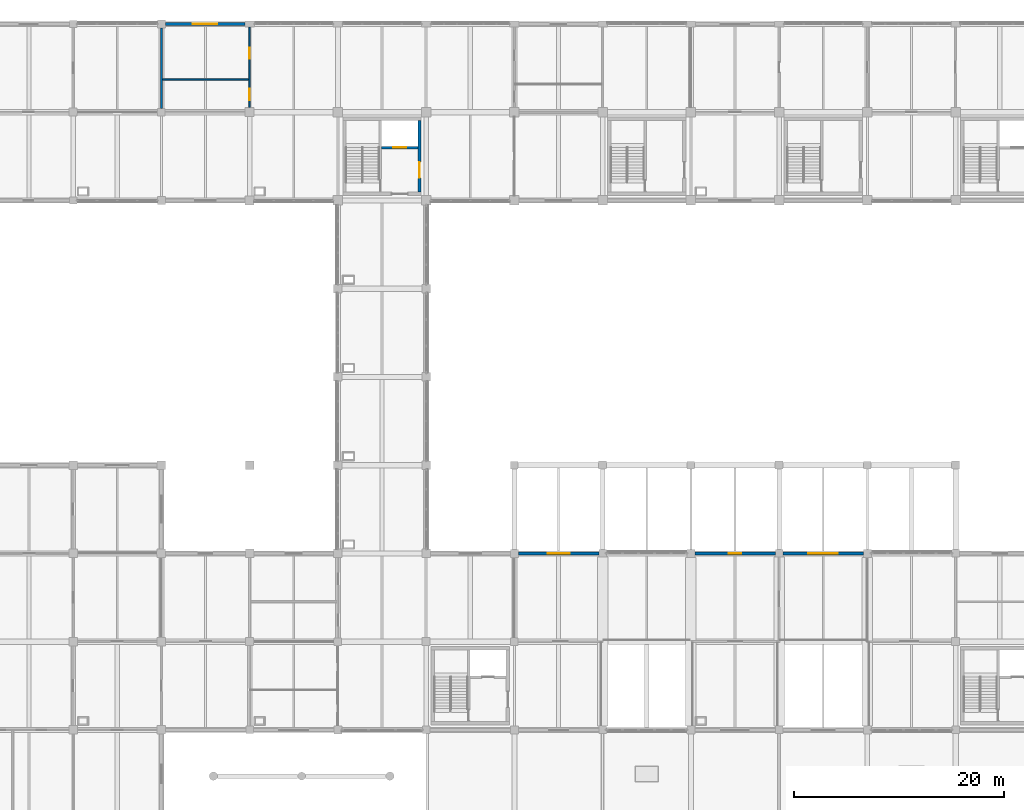
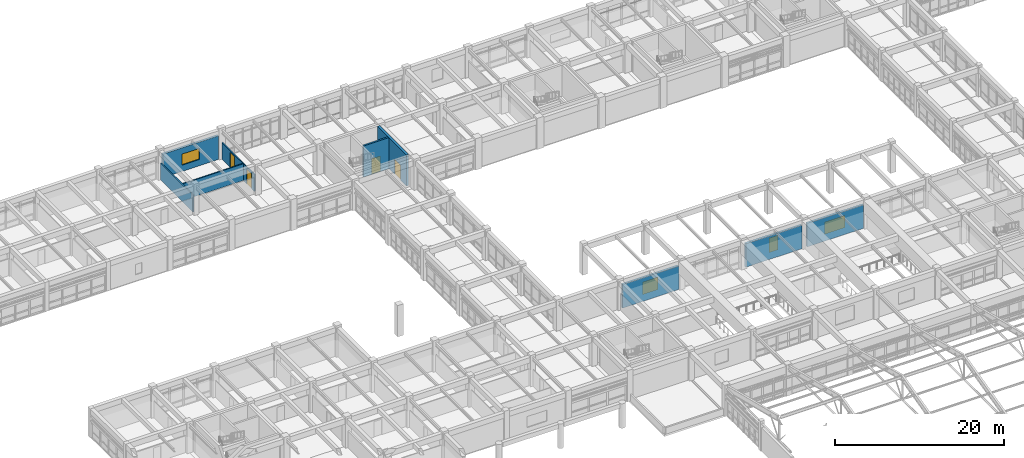
# One storey, part 87 of 99: 9 walls, 4 doors, 4 windows, 8 openings.
"""IFC4 building model written with IfcOpenShell, lengths in metres."""

from ifc_helpers import new_model, si_unit, direction, frame, frame_2d, origin, place, context, subcontext, project, spatial, rectangle, extrude, material, layer, layer_set, type_object, element, fill, save


model = new_model("IFC4")

# Units and contexts
model_context = context("Model", 3, precision=1e-05, world=origin(), true_north=direction((0.0, 1.0)))
body_context = subcontext(model_context, "Body", "Model", "MODEL_VIEW")
ifc_project = project(units=[si_unit("LENGTHUNIT", "METRE"), si_unit("AREAUNIT", "SQUARE_METRE"), si_unit("VOLUMEUNIT", "CUBIC_METRE"), si_unit("PLANEANGLEUNIT", "RADIAN"), si_unit("MASSUNIT", "GRAM", prefix="KILO")], contexts=[model_context])

# Site, building, storey
site_placement = place(None, origin())
site = spatial("IfcSite", under=ifc_project, at=site_placement, CompositionType="ELEMENT")
building_placement = place(site_placement, origin())
building = spatial("IfcBuilding", under=site, at=building_placement, Name="Porcellanite Civic Hall", CompositionType="ELEMENT")
storey_placement = place(building_placement, frame((0.0, 0.0, 5.760009765625)))
storey = spatial("IfcBuildingStorey", under=building, at=storey_placement, Name="L01", CompositionType="ELEMENT", Elevation=5.760009765625)

# Wall, opening, door
ifc_material_1 = material(Name="Concrete N40 (40 MPa)", Category="concrete")
ifc_layer_1 = layer(ifc_material_1, 0.239990234375)
ifc_layer_set_1 = layer_set([ifc_layer_1], Name="Concrete N40 (40 MPa)")
wall_type_1 = type_object("IfcWallType", Name="CW-SH240", PredefinedType="SHEAR", material=ifc_layer_set_1)
wall_1_placement = place(storey_placement, frame((54.56005859375, 105.820068359375, 0.0), z_axis=(0.0, 0.0, 1.0), x_axis=(1.0, 0.0, 0.0)))
wall_1 = element("IfcWall", 1, at=wall_1_placement, inside=storey, type_object=wall_type_1, Name="Lift shaft wall C3 L01", PredefinedType="SHEAR", context=body_context, shape_type="SweptSolid", body=[
    extrude(rectangle(XDim=3.4599609375, YDim=0.239990234375, at=frame_2d((1.72998046875, 0.0))), origin(), (0.0, 0.0, 1.0), 4.5),
])
opening_1_placement = place(wall_1_placement, frame((1.1298828125, 0.0, 0.0)))
opening_1 = element("IfcOpeningElement", 2, at=opening_1_placement, cuts=wall_1, Name="Opening LD-01", PredefinedType="OPENING", context=body_context, shape_type="SweptSolid", body=[
    extrude(rectangle(XDim=1.199951171875, YDim=2.199951171875, at=frame_2d((0.60009765625, 1.10009765625))), frame((0.0, 0.1201171875, 0.0), z_axis=(0.0, -1.0, 0.0), x_axis=(1.0, 0.0, 0.0)), (0.0, 0.0, 1.0), 0.239990234375),
])
ifc_material_2 = material(Name="Brushed stainless steel 316", Category="steel")
door_type_1 = type_object("IfcDoorType", Name="DR-LD120", OperationType="DOUBLE_DOOR_SLIDING", PredefinedType="DOOR", material=ifc_material_2)
door_1_placement = place(opening_1_placement, origin())
door_1 = element("IfcDoor", 3, at=door_1_placement, inside=storey, type_object=door_type_1, Name="Lift landing sliding door LD-01 L01", OperationType="DOUBLE_DOOR_SLIDING", OverallHeight=2.199951171875, OverallWidth=1.199951171875, PredefinedType="DOOR", context=body_context, shape_type="SweptSolid", body=[
    extrude(rectangle(XDim=1.199951171875, YDim=2.199951171875, at=frame_2d((0.60009765625, 1.10009765625))), frame((0.0, 0.02490234375, 0.0), z_axis=(0.0, -1.0, 0.0), x_axis=(1.0, 0.0, 0.0)), (0.0, 0.0, 1.0), 0.050048828125),
])
fill(opening_1, door_1)

ifc_material_3 = material(Name="Concrete N40 (40 MPa)", Category="concrete")
ifc_layer_2 = layer(ifc_material_3, 0.300048828125)
ifc_layer_set_2 = layer_set([ifc_layer_2], Name="Concrete N40 (40 MPa)")
wall_type_2 = type_object("IfcWallType", Name="CW-SH300", PredefinedType="SHEAR", material=ifc_layer_set_2)
wall_2_placement = place(storey_placement, frame((58.169921875, 108.419921875, 0.0), z_axis=(0.0, 0.0, 1.0), x_axis=(0.0, -1.0, 0.0)))
wall_2 = element("IfcWall", 4, at=wall_2_placement, inside=storey, type_object=wall_type_2, Name="Core wall C3 L01 E", PredefinedType="SHEAR", context=body_context, shape_type="SweptSolid", body=[
    extrude(rectangle(XDim=6.83984375, YDim=0.300048828125, at=frame_2d((3.419921875, 0.0))), origin(), (0.0, 0.0, 1.0), 4.5),
])
opening_2_placement = place(wall_2_placement, frame((3.969970703125, 0.0, 0.0)))
opening_2 = element("IfcOpeningElement", 5, at=opening_2_placement, cuts=wall_2, Name="Opening FD-C3-L01-LB", PredefinedType="OPENING", context=body_context, shape_type="SweptSolid", body=[
    extrude(rectangle(XDim=1.5, YDim=2.14990234375, at=frame_2d((0.75, 1.074951171875))), frame((0.0, 0.14990234375, 0.0), z_axis=(0.0, -1.0, 0.0), x_axis=(1.0, 0.0, 0.0)), (0.0, 0.0, 1.0), 0.300048828125),
])
ifc_material_4 = material(Name="Fire-rated steel and Georgian wired glass", Category="steel")
door_type_2 = type_object("IfcDoorType", Name="DR-FD150", OperationType="DOUBLE_DOOR_SINGLE_SWING", PredefinedType="DOOR", material=ifc_material_4)
door_2_placement = place(opening_2_placement, origin())
door_2 = element("IfcDoor", 6, at=door_2_placement, inside=storey, type_object=door_type_2, Name="Fire lobby double door FD-C3-L01-LB", OperationType="DOUBLE_DOOR_SINGLE_SWING", OverallHeight=2.14990234375, OverallWidth=1.5, PredefinedType="DOOR", context=body_context, shape_type="SweptSolid", body=[
    extrude(rectangle(XDim=1.5, YDim=2.14990234375, at=frame_2d((0.75, 1.074951171875))), frame((0.0, 0.02490234375, 0.0), z_axis=(0.0, -1.0, 0.0), x_axis=(1.0, 0.0, 0.0)), (0.0, 0.0, 1.0), 0.050048828125),
])
fill(opening_2, door_2)

# Wall, opening, window
ifc_material_5 = material(Name="Precast concrete N40 (40 MPa)", Category="concrete")
ifc_layer_3 = layer(ifc_material_5, 0.300048828125)
ifc_layer_set_3 = layer_set([ifc_layer_3], Name="Precast concrete N40 (40 MPa)")
wall_type_3 = type_object("IfcWallType", Name="EW-ADM300", PredefinedType="SOLIDWALL", material=ifc_layer_set_3)
wall_3_placement = place(storey_placement, frame((33.97607421875, 117.60009765625, 0.0), z_axis=(0.0, 0.0, 1.0), x_axis=(1.0, 0.0, 0.0)))
wall_3 = element("IfcWall", 7, at=wall_3_placement, inside=storey, type_object=wall_type_3, Name="Exterior wall L01 N 5-14", PredefinedType="SOLIDWALL", context=body_context, shape_type="SweptSolid", body=[
    extrude(rectangle(XDim=7.572998046875, YDim=0.300048828125, at=frame_2d((3.78662109375, 0.0))), origin(), (0.0, 0.0, 1.0), 3.39990234375),
])
opening_3_placement = place(wall_3_placement, frame((2.612060546875, 0.0, 0.89990234375)))
opening_3 = element("IfcOpeningElement", 8, at=opening_3_placement, cuts=wall_3, Name="Opening W36", PredefinedType="OPENING", context=body_context, shape_type="SweptSolid", body=[
    extrude(rectangle(XDim=2.35009765625, YDim=1.60009765625, at=frame_2d((1.175048828125, 0.800048828125))), frame((0.0, 0.14990234375, 0.0), z_axis=(0.0, -1.0, 0.0), x_axis=(1.0, 0.0, 0.0)), (0.0, 0.0, 1.0), 0.300048828125),
])
ifc_material_6 = material(Name="Cyclone laminated low-E glazing in anodised aluminium frame", Category="aluminium")
window_type_1 = type_object("IfcWindowType", Name="WN-36", PartitioningType="DOUBLE_PANEL_VERTICAL", PredefinedType="WINDOW", material=ifc_material_6)
window_1_placement = place(opening_3_placement, origin())
window_1 = element("IfcWindow", 9, at=window_1_placement, inside=storey, type_object=window_type_1, Name="Window W36 L01 N 5-14", OverallHeight=1.60009765625, OverallWidth=2.35009765625, PartitioningType="SINGLE_PANEL", PredefinedType="WINDOW", context=body_context, shape_type="SweptSolid", body=[
    extrude(rectangle(XDim=2.35009765625, YDim=1.60009765625, at=frame_2d((1.175048828125, 0.800048828125))), frame((0.0, 0.030029296875, 0.0), z_axis=(0.0, -1.0, 0.0), x_axis=(1.0, 0.0, 0.0)), (0.0, 0.0, 1.0), 0.06005859375),
])
fill(opening_3, window_1)

ifc_material_7 = material(Name="Precast concrete N40 (40 MPa)", Category="concrete")
ifc_layer_4 = layer(ifc_material_7, 0.280029296875)
ifc_layer_set_4 = layer_set([ifc_layer_4], Name="Precast concrete N40 (40 MPa)")
wall_type_4 = type_object("IfcWallType", Name="EW-CLO280", PredefinedType="SOLIDWALL", material=ifc_layer_set_4)
wall_4_placement = place(storey_placement, frame((67.575927734375, 67.199951171875, 0.0), z_axis=(0.0, 0.0, 1.0), x_axis=(1.0, 0.0, 0.0)))
wall_4 = element("IfcWall", 10, at=wall_4_placement, inside=storey, type_object=wall_type_4, Name="Exterior wall L01 N 9-8", PredefinedType="SOLIDWALL", context=body_context, shape_type="SweptSolid", body=[
    extrude(rectangle(XDim=7.673095703125, YDim=0.280029296875, at=frame_2d((3.83642578125, 0.0))), origin(), (0.0, 0.0, 1.0), 3.39990234375),
])
opening_4_placement = place(wall_4_placement, frame((2.787109375, 0.0, 0.89990234375)))
opening_4 = element("IfcOpeningElement", 11, at=opening_4_placement, cuts=wall_4, Name="Opening W02", PredefinedType="OPENING", context=body_context, shape_type="SweptSolid", body=[
    extrude(rectangle(XDim=2.10009765625, YDim=1.800048828125, at=frame_2d((1.050048828125, 0.89990234375))), frame((0.0, 0.14013671875, 0.0), z_axis=(0.0, -1.0, 0.0), x_axis=(1.0, 0.0, 0.0)), (0.0, 0.0, 1.0), 0.280029296875),
])
ifc_material_8 = material(Name="Cyclone laminated low-E glazing in anodised aluminium frame", Category="aluminium")
window_type_2 = type_object("IfcWindowType", Name="WN-02", PartitioningType="DOUBLE_PANEL_VERTICAL", PredefinedType="WINDOW", material=ifc_material_8)
window_2_placement = place(opening_4_placement, origin())
window_2 = element("IfcWindow", 12, at=window_2_placement, inside=storey, type_object=window_type_2, Name="Window W02 L01 N 9-8", OverallHeight=1.800048828125, OverallWidth=2.10009765625, PartitioningType="SINGLE_PANEL", PredefinedType="WINDOW", context=body_context, shape_type="SweptSolid", body=[
    extrude(rectangle(XDim=2.10009765625, YDim=1.800048828125, at=frame_2d((1.050048828125, 0.89990234375))), frame((0.0, 0.030029296875, 0.0), z_axis=(0.0, -1.0, 0.0), x_axis=(1.0, 0.0, 0.0)), (0.0, 0.0, 1.0), 0.06005859375),
])
fill(opening_4, window_2)

wall_5_placement = place(storey_placement, frame((84.3759765625, 67.199951171875, 0.0), z_axis=(0.0, 0.0, 1.0), x_axis=(1.0, 0.0, 0.0)))
wall_5 = element("IfcWall", 13, at=wall_5_placement, inside=storey, type_object=wall_type_4, Name="Exterior wall L01 N 11-8", PredefinedType="SOLIDWALL", context=body_context, shape_type="SweptSolid", body=[
    extrude(rectangle(XDim=7.673095703125, YDim=0.280029296875, at=frame_2d((3.83642578125, 0.0))), origin(), (0.0, 0.0, 1.0), 3.39990234375),
])
opening_5_placement = place(wall_5_placement, frame((3.236083984375, 0.0, 0.89990234375)))
opening_5 = element("IfcOpeningElement", 14, at=opening_5_placement, cuts=wall_5, Name="Opening W08", PredefinedType="OPENING", context=body_context, shape_type="SweptSolid", body=[
    extrude(rectangle(XDim=1.199951171875, YDim=2.10009765625, at=frame_2d((0.60009765625, 1.050048828125))), frame((0.0, 0.14013671875, 0.0), z_axis=(0.0, -1.0, 0.0), x_axis=(1.0, 0.0, 0.0)), (0.0, 0.0, 1.0), 0.280029296875),
])
ifc_material_9 = material(Name="Cyclone laminated low-E glazing in anodised aluminium frame", Category="aluminium")
window_type_3 = type_object("IfcWindowType", Name="WN-08", PartitioningType="SINGLE_PANEL", PredefinedType="WINDOW", material=ifc_material_9)
window_3_placement = place(opening_5_placement, origin())
window_3 = element("IfcWindow", 15, at=window_3_placement, inside=storey, type_object=window_type_3, Name="Window W08 L01 N 11-8", OverallHeight=2.10009765625, OverallWidth=1.199951171875, PartitioningType="SINGLE_PANEL", PredefinedType="WINDOW", context=body_context, shape_type="SweptSolid", body=[
    extrude(rectangle(XDim=1.199951171875, YDim=2.10009765625, at=frame_2d((0.60009765625, 1.050048828125))), frame((0.0, 0.030029296875, 0.0), z_axis=(0.0, -1.0, 0.0), x_axis=(1.0, 0.0, 0.0)), (0.0, 0.0, 1.0), 0.06005859375),
])
fill(opening_5, window_3)

wall_6_placement = place(storey_placement, frame((92.7509765625, 67.199951171875, 0.0), z_axis=(0.0, 0.0, 1.0), x_axis=(1.0, 0.0, 0.0)))
wall_6 = element("IfcWall", 16, at=wall_6_placement, inside=storey, type_object=wall_type_4, Name="Exterior wall L01 N 12-8", PredefinedType="SOLIDWALL", context=body_context, shape_type="SweptSolid", body=[
    extrude(rectangle(XDim=7.673095703125, YDim=0.280029296875, at=frame_2d((3.83642578125, 0.0))), origin(), (0.0, 0.0, 1.0), 3.39990234375),
])
opening_6_placement = place(wall_6_placement, frame((2.43701171875, 0.0, 0.89990234375)))
opening_6 = element("IfcOpeningElement", 17, at=opening_6_placement, cuts=wall_6, Name="Opening W14", PredefinedType="OPENING", context=body_context, shape_type="SweptSolid", body=[
    extrude(rectangle(XDim=2.800048828125, YDim=1.75, at=frame_2d((1.39990234375, 0.875))), frame((0.0, 0.14013671875, 0.0), z_axis=(0.0, -1.0, 0.0), x_axis=(1.0, 0.0, 0.0)), (0.0, 0.0, 1.0), 0.280029296875),
])
ifc_material_10 = material(Name="Cyclone laminated low-E glazing in anodised aluminium frame", Category="aluminium")
window_type_4 = type_object("IfcWindowType", Name="WN-14", PartitioningType="TRIPLE_PANEL_VERTICAL", PredefinedType="WINDOW", material=ifc_material_10)
window_4_placement = place(opening_6_placement, origin())
window_4 = element("IfcWindow", 18, at=window_4_placement, inside=storey, type_object=window_type_4, Name="Window W14 L01 N 12-8", OverallHeight=1.75, OverallWidth=2.800048828125, PartitioningType="SINGLE_PANEL", PredefinedType="WINDOW", context=body_context, shape_type="SweptSolid", body=[
    extrude(rectangle(XDim=2.800048828125, YDim=1.75, at=frame_2d((1.39990234375, 0.875))), frame((0.0, 0.030029296875, 0.0), z_axis=(0.0, -1.0, 0.0), x_axis=(1.0, 0.0, 0.0)), (0.0, 0.0, 1.0), 0.06005859375),
])
fill(opening_6, window_4)

# Wall, openings, doors
ifc_material_11 = material(Name="Fire-rated plasterboard on light-gauge steel studs", Category="steel")
ifc_layer_5 = layer(ifc_material_11, 0.14794921875)
ifc_layer_set_5 = layer_set([ifc_layer_5], Name="Fire-rated plasterboard on light-gauge steel studs")
wall_type_5 = type_object("IfcWallType", Name="IW-FR148", PredefinedType="PARTITIONING", material=ifc_layer_set_5)
wall_7_placement = place(storey_placement, frame((42.0, 109.626953125, 0.0), z_axis=(0.0, 0.0, 1.0), x_axis=(0.0, 1.0, 0.0)))
wall_7 = element("IfcWall", 19, at=wall_7_placement, inside=storey, type_object=wall_type_5, Name="Fire compartment wall L01 V 5-14", PredefinedType="PARTITIONING", context=body_context, shape_type="SweptSolid", body=[
    extrude(rectangle(XDim=7.671142578125, YDim=0.14794921875, at=frame_2d((3.83544921875, 0.0))), origin(), (0.0, 0.0, 1.0), 2.39990234375),
])
opening_7_placement = place(wall_7_placement, frame((0.712890625, 0.0, 0.0)))
opening_7 = element("IfcOpeningElement", 20, at=opening_7_placement, cuts=wall_7, Name="Opening D-L01-174", PredefinedType="OPENING", context=body_context, shape_type="SweptSolid", body=[
    extrude(rectangle(XDim=1.10009765625, YDim=2.14990234375, at=frame_2d((0.550048828125, 1.074951171875))), frame((0.0, 0.073974609375, 0.0), z_axis=(0.0, -1.0, 0.0), x_axis=(1.0, 0.0, 0.0)), (0.0, 0.0, 1.0), 0.14794921875),
])
opening_8_placement = place(wall_7_placement, frame((4.657958984375, 0.0, 0.0)))
opening_8 = element("IfcOpeningElement", 21, at=opening_8_placement, cuts=wall_7, Name="Opening D-L01-175", PredefinedType="OPENING", context=body_context, shape_type="SweptSolid", body=[
    extrude(rectangle(XDim=1.050048828125, YDim=2.14990234375, at=frame_2d((0.52490234375, 1.074951171875))), frame((0.0, 0.073974609375, 0.0), z_axis=(0.0, -1.0, 0.0), x_axis=(1.0, 0.0, 0.0)), (0.0, 0.0, 1.0), 0.14794921875),
])
ifc_material_12 = material(Name="Fire-rated solid-core hardwood timber", Category="wood")
door_type_3 = type_object("IfcDoorType", Name="DR-FD105", OperationType="NOTDEFINED", PredefinedType="DOOR", material=ifc_material_12)
door_3_placement = place(opening_8_placement, origin())
door_3 = element("IfcDoor", 22, at=door_3_placement, inside=storey, type_object=door_type_3, Name="Interior door D-L01-175", OperationType="SINGLE_SWING_LEFT", OverallHeight=2.14990234375, OverallWidth=1.050048828125, PredefinedType="DOOR", context=body_context, shape_type="SweptSolid", body=[
    extrude(rectangle(XDim=1.050048828125, YDim=2.14990234375, at=frame_2d((0.52490234375, 1.074951171875))), frame((0.0, 0.02490234375, 0.0), z_axis=(0.0, -1.0, 0.0), x_axis=(1.0, 0.0, 0.0)), (0.0, 0.0, 1.0), 0.050048828125),
])
fill(opening_8, door_3)
ifc_material_13 = material(Name="Fire-rated solid-core hardwood timber", Category="wood")
door_type_4 = type_object("IfcDoorType", Name="DR-FD110", OperationType="NOTDEFINED", PredefinedType="DOOR", material=ifc_material_13)
door_4_placement = place(opening_7_placement, origin())
door_4 = element("IfcDoor", 23, at=door_4_placement, inside=storey, type_object=door_type_4, Name="Interior door D-L01-174", OperationType="SINGLE_SWING_RIGHT", OverallHeight=2.14990234375, OverallWidth=1.10009765625, PredefinedType="DOOR", context=body_context, shape_type="SweptSolid", body=[
    extrude(rectangle(XDim=1.10009765625, YDim=2.14990234375, at=frame_2d((0.550048828125, 1.074951171875))), frame((0.0, 0.02490234375, 0.0), z_axis=(0.0, -1.0, 0.0), x_axis=(1.0, 0.0, 0.0)), (0.0, 0.0, 1.0), 0.050048828125),
])
fill(opening_7, door_4)

# Walls
wall_8_placement = place(storey_placement, frame((33.681884765625, 112.300048828125, 0.0), z_axis=(0.0, 0.0, 1.0), x_axis=(1.0, 0.0, 0.0)))
element("IfcWall", 24, at=wall_8_placement, inside=storey, type_object=wall_type_5, Name="Fire compartment wall L01 sub 5-14", PredefinedType="PARTITIONING", context=body_context, shape_type="SweptSolid", body=[
    extrude(rectangle(XDim=8.2421875, YDim=0.14794921875, at=frame_2d((4.12109375, 0.0))), origin(), (0.0, 0.0, 1.0), 2.39990234375),
])
ifc_material_14 = material(Name="Fire-rated plasterboard on light-gauge steel studs", Category="steel")
ifc_layer_6 = layer(ifc_material_14, 0.159912109375)
ifc_layer_set_6 = layer_set([ifc_layer_6], Name="Fire-rated plasterboard on light-gauge steel studs")
wall_type_6 = type_object("IfcWallType", Name="IW-FR160", PredefinedType="PARTITIONING", material=ifc_layer_set_6)
wall_9_placement = place(storey_placement, frame((33.60009765625, 109.552001953125, 0.0), z_axis=(0.0, 0.0, 1.0), x_axis=(0.0, 1.0, 0.0)))
element("IfcWall", 25, at=wall_9_placement, inside=storey, type_object=wall_type_6, Name="Fire compartment wall L01 V 4-14", PredefinedType="PARTITIONING", context=body_context, shape_type="SweptSolid", body=[
    extrude(rectangle(XDim=7.6708984375, YDim=0.159912109375, at=frame_2d((3.83544921875, 0.0))), origin(), (0.0, 0.0, 1.0), 2.39990234375),
])

save(model, "model.ifc")
